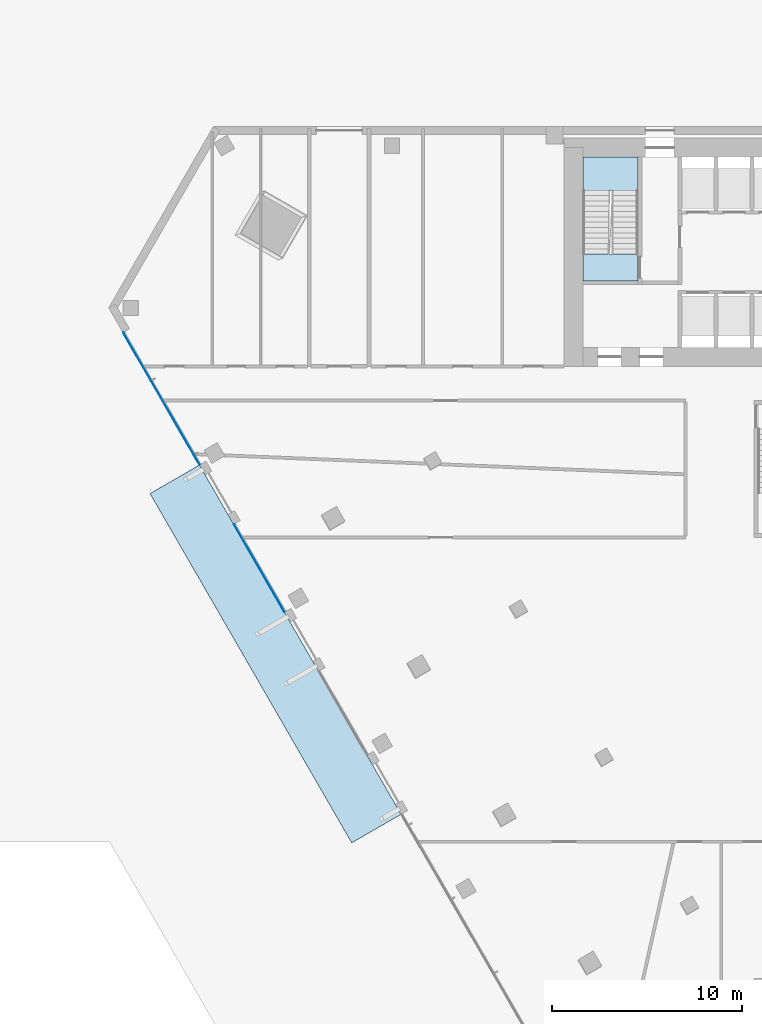
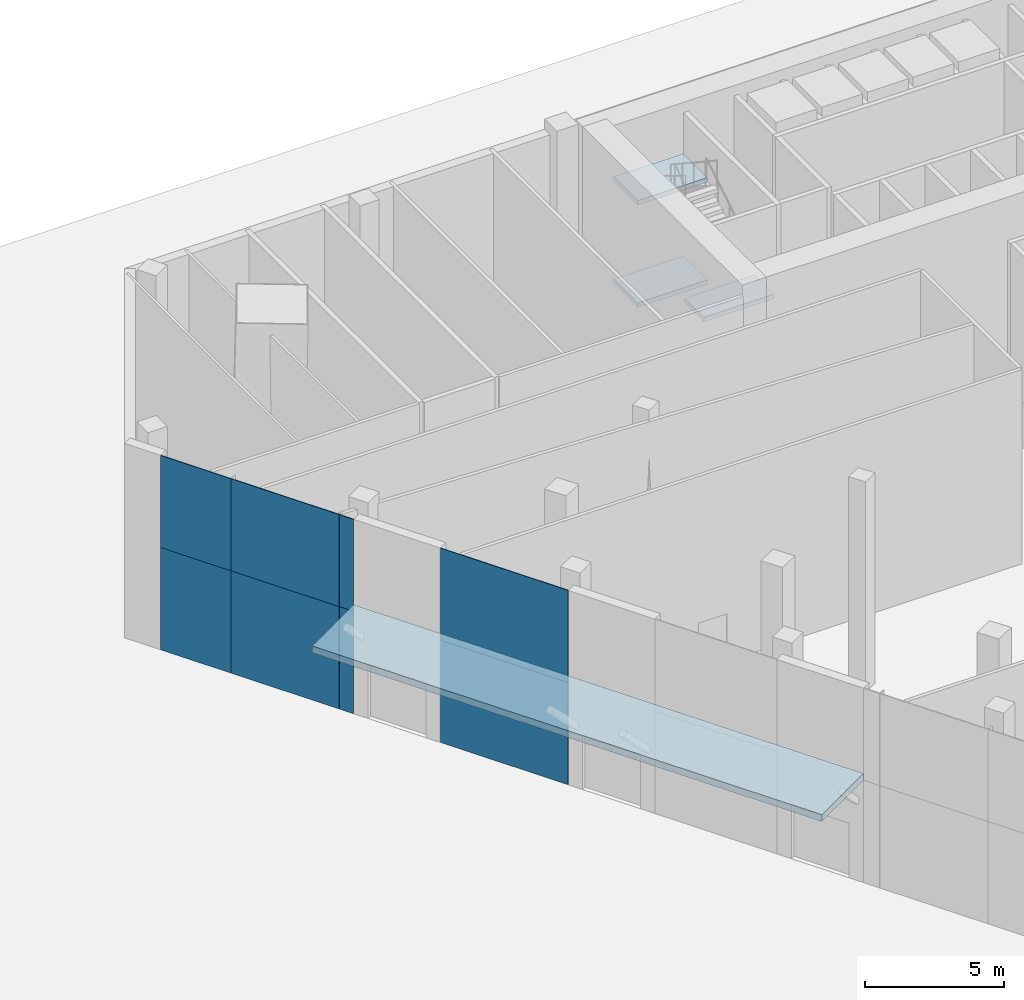
# One storey, part 9 of 21: 8 plates, 4 slabs, 3 elements without a shape of their own.
"""IFC4 building model written with IfcOpenShell, lengths in metres."""

from ifc_helpers import new_model, si_unit, direction, frame, origin, origin_2d, place, context, subcontext, project, spatial, polyline, rectangle, outline, extrude, material, layer, layer_set, type_object, element, aggregate, save


model = new_model("IFC4")

# Units and contexts
model_context = context("Model", 3, precision=1e-05, world=origin(), true_north=direction((0.0, 1.0)))
body_context = subcontext(model_context, "Body", "Model", "MODEL_VIEW")
ifc_project = project(units=[si_unit("LENGTHUNIT", "METRE"), si_unit("AREAUNIT", "SQUARE_METRE"), si_unit("VOLUMEUNIT", "CUBIC_METRE"), si_unit("PLANEANGLEUNIT", "RADIAN"), si_unit("MASSUNIT", "GRAM", prefix="KILO")], contexts=[model_context])

# Site, building, storey
site_placement = place(None, origin())
site = spatial("IfcSite", under=ifc_project, at=site_placement, CompositionType="ELEMENT")
building_placement = place(site_placement, origin())
building = spatial("IfcBuilding", under=site, at=building_placement, Name="Altiplano Prism Tower", CompositionType="ELEMENT")
storey_placement = place(building_placement, origin())
storey = spatial("IfcBuildingStorey", under=building, at=storey_placement, Name="L00", CompositionType="ELEMENT", Elevation=0.0)

# Curtain wall, plates
ifc_material_1 = material(Name="Aluminium and glass", Category="aluminium")
ifc_layer_1 = layer(ifc_material_1, 0.261962890625)
ifc_layer_set_1 = layer_set([ifc_layer_1], Name="Aluminium and glass")
curtain_wall_type = type_object("IfcCurtainWallType", Name="CW4 concourse and street shopfront", PredefinedType="NOTDEFINED", material=ifc_layer_set_1)
curtain_wall_1_placement = place(storey_placement, origin())
curtain_wall_1 = element("IfcCurtainWall", 1, at=curtain_wall_1_placement, inside=storey, type_object=curtain_wall_type, Name="CW4 shopfront south-west face L00", PredefinedType="NOTDEFINED")
ifc_material_2 = material(Name="Clear glass", Category="glass")
ifc_layer_2 = layer(ifc_material_2, 0.031982421875)
ifc_layer_set_2 = layer_set([ifc_layer_2], Name="Clear glass")
plate_type = type_object("IfcPlateType", Name="CW4 laminated glass panel 32", PredefinedType="CURTAIN_PANEL", material=ifc_layer_set_2)
plate_1_placement = place(storey_placement, frame((49.5625, 92.91162109375, 0.0), z_axis=(0.0, 0.0, 1.0), x_axis=(0.499999996478, -0.866025405818, 0.0)))
plate_1 = element("IfcPlate", 2, at=plate_1_placement, type_object=plate_type, Name="CW4 panel", PredefinedType="CURTAIN_PANEL", context=body_context, shape_type="SweptSolid", body=[
    extrude(rectangle(XDim=2.92529296875, YDim=0.031982421875, at=origin_2d()), origin(), (0.0, 0.0, 1.0), 4.5),
])
plate_2_placement = place(storey_placement, frame((49.5625, 92.91162109375, 4.5), z_axis=(0.0, 0.0, 1.0), x_axis=(0.499999996478, -0.866025405818, 0.0)))
plate_2 = element("IfcPlate", 3, at=plate_2_placement, type_object=plate_type, Name="CW4 panel", PredefinedType="CURTAIN_PANEL", context=body_context, shape_type="SweptSolid", body=[
    extrude(rectangle(XDim=2.92529296875, YDim=0.031982421875, at=origin_2d()), origin(), (0.0, 0.0, 1.0), 4.050048828125),
])
plate_3_placement = place(storey_placement, frame((51.421142578125, 89.692138671875, 0.0), z_axis=(0.0, 0.0, 1.0), x_axis=(0.499999996478, -0.866025405818, 0.0)))
plate_3 = element("IfcPlate", 4, at=plate_3_placement, type_object=plate_type, Name="CW4 panel", PredefinedType="CURTAIN_PANEL", context=body_context, shape_type="SweptSolid", body=[
    extrude(rectangle(XDim=4.489990234375, YDim=0.031982421875, at=origin_2d()), origin(), (0.0, 0.0, 1.0), 4.5),
])
plate_4_placement = place(storey_placement, frame((51.421142578125, 89.692138671875, 4.5), z_axis=(0.0, 0.0, 1.0), x_axis=(0.499999996478, -0.866025405818, 0.0)))
plate_4 = element("IfcPlate", 5, at=plate_4_placement, type_object=plate_type, Name="CW4 panel", PredefinedType="CURTAIN_PANEL", context=body_context, shape_type="SweptSolid", body=[
    extrude(rectangle(XDim=4.489990234375, YDim=0.031982421875, at=origin_2d()), origin(), (0.0, 0.0, 1.0), 4.050048828125),
])
plate_5_placement = place(storey_placement, frame((52.697998046875, 87.480712890625, 0.0), z_axis=(0.0, 0.0, 1.0), x_axis=(0.499999996478, -0.866025405818, 0.0)))
plate_5 = element("IfcPlate", 6, at=plate_5_placement, type_object=plate_type, Name="CW4 panel", PredefinedType="CURTAIN_PANEL", context=body_context, shape_type="SweptSolid", body=[
    extrude(rectangle(XDim=0.59716796875, YDim=0.031982421875, at=origin_2d()), origin(), (0.0, 0.0, 1.0), 4.5),
])
plate_6_placement = place(storey_placement, frame((52.697998046875, 87.480712890625, 4.5), z_axis=(0.0, 0.0, 1.0), x_axis=(0.499999996478, -0.866025405818, 0.0)))
plate_6 = element("IfcPlate", 7, at=plate_6_placement, type_object=plate_type, Name="CW4 panel", PredefinedType="CURTAIN_PANEL", context=body_context, shape_type="SweptSolid", body=[
    extrude(rectangle(XDim=0.59716796875, YDim=0.031982421875, at=origin_2d()), origin(), (0.0, 0.0, 1.0), 4.050048828125),
])
aggregate(curtain_wall_1, [plate_1, plate_2, plate_3, plate_4, plate_5, plate_6])

curtain_wall_2_placement = place(storey_placement, origin())
curtain_wall_2 = element("IfcCurtainWall", 8, at=curtain_wall_2_placement, inside=storey, type_object=curtain_wall_type, Name="CW4 shopfront south-west face L00", PredefinedType="NOTDEFINED")
plate_7_placement = place(storey_placement, frame((55.982177734375, 81.792236328125, 0.0), z_axis=(0.0, 0.0, 1.0), x_axis=(0.499999996478, -0.866025405818, 0.0)))
plate_7 = element("IfcPlate", 9, at=plate_7_placement, type_object=plate_type, Name="CW4 panel", PredefinedType="CURTAIN_PANEL", context=body_context, shape_type="SweptSolid", body=[
    extrude(rectangle(XDim=5.319580078125, YDim=0.031982421875, at=origin_2d()), origin(), (0.0, 0.0, 1.0), 4.5),
])
plate_8_placement = place(storey_placement, frame((55.982177734375, 81.792236328125, 4.5), z_axis=(0.0, 0.0, 1.0), x_axis=(0.499999996478, -0.866025405818, 0.0)))
plate_8 = element("IfcPlate", 10, at=plate_8_placement, type_object=plate_type, Name="CW4 panel", PredefinedType="CURTAIN_PANEL", context=body_context, shape_type="SweptSolid", body=[
    extrude(rectangle(XDim=5.319580078125, YDim=0.031982421875, at=origin_2d()), origin(), (0.0, 0.0, 1.0), 4.050048828125),
])
aggregate(curtain_wall_2, [plate_7, plate_8])

# Slab
ifc_material_3 = material(Name="Concrete C40", Category="concrete")
ifc_layer_3 = layer(ifc_material_3, 0.300048828125)
ifc_layer_set_3 = layer_set([ifc_layer_3], Name="Concrete C40")
slab_type_1 = type_object("IfcSlabType", Name="Entrance canopy 300", PredefinedType="ROOF", material=ifc_layer_set_3)
slab_1_placement = place(storey_placement, frame((0.0, 0.0, 4.5)))
element("IfcSlab", 11, at=slab_1_placement, inside=storey, type_object=slab_type_1, Name="Entrance canopy 1", PredefinedType="ROOF", context=body_context, shape_type="SweptSolid", body=[
    extrude(outline(polyline([(52.8359375, 87.209716796875), (63.440673828125, 68.841796875), (60.842529296875, 67.341796875), (50.23779296875, 85.709716796875), (52.8359375, 87.209716796875)])), origin(), (0.0, 0.0, 1.0), 0.300048828125),
])

# Stair, slabs
ifc_material_4 = material(Name="Concrete C40/50", Category="concrete")
stair_type = type_object("IfcStairType", Name="Exit stair 1400", PredefinedType="HALF_TURN_STAIR", material=ifc_material_4)
stair_placement = place(storey_placement, origin())
stair = element("IfcStair", 12, at=stair_placement, inside=storey, type_object=stair_type, Name="L00 Exit Stair 1", PredefinedType="HALF_TURN_STAIR")
ifc_layer_4 = layer(ifc_material_4, 0.199951171875)
ifc_layer_set_4 = layer_set([ifc_layer_4], Name="Concrete C40/50")
slab_type_2 = type_object("IfcSlabType", Name="Stair landing 200", PredefinedType="LANDING", material=ifc_layer_set_4)
slab_2_placement = place(storey_placement, frame((0.0, 0.0, 2.050048828125)))
slab_2 = element("IfcSlab", 13, at=slab_2_placement, type_object=slab_type_2, Name="ST1 landing 1", PredefinedType="LANDING", context=body_context, shape_type="SweptSolid", body=[
    extrude(outline(polyline([(75.89990234375, 101.656982421875), (75.89990234375, 103.39990234375), (73.0, 103.39990234375), (73.0, 101.656982421875), (75.89990234375, 101.656982421875)])), origin(), (0.0, 0.0, 1.0), 0.199951171875),
])
slab_3_placement = place(storey_placement, frame((0.0, 0.0, 4.300048828125)))
slab_3 = element("IfcSlab", 14, at=slab_3_placement, type_object=slab_type_2, Name="ST1 landing 2", PredefinedType="LANDING", context=body_context, shape_type="SweptSolid", body=[
    extrude(outline(polyline([(75.89990234375, 96.89990234375), (75.89990234375, 98.302978515625), (73.0, 98.302978515625), (73.0, 96.89990234375), (75.89990234375, 96.89990234375)])), origin(), (0.0, 0.0, 1.0), 0.199951171875),
])
slab_4_placement = place(storey_placement, frame((0.0, 0.0, 6.550048828125)))
slab_4 = element("IfcSlab", 15, at=slab_4_placement, type_object=slab_type_2, Name="ST1 landing 3", PredefinedType="LANDING", context=body_context, shape_type="SweptSolid", body=[
    extrude(outline(polyline([(75.89990234375, 101.656982421875), (75.89990234375, 103.39990234375), (73.0, 103.39990234375), (73.0, 101.656982421875), (75.89990234375, 101.656982421875)])), origin(), (0.0, 0.0, 1.0), 0.199951171875),
])
aggregate(stair, [slab_2, slab_3, slab_4])

save(model, "model.ifc")
